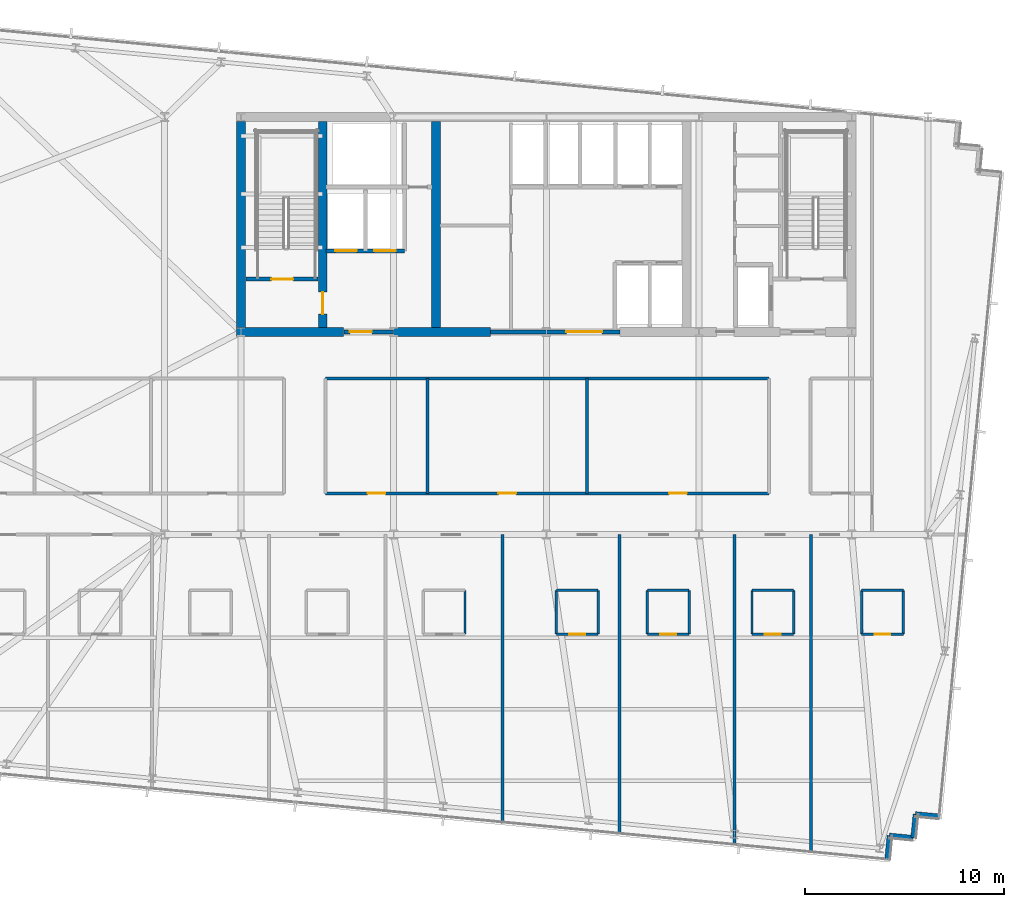
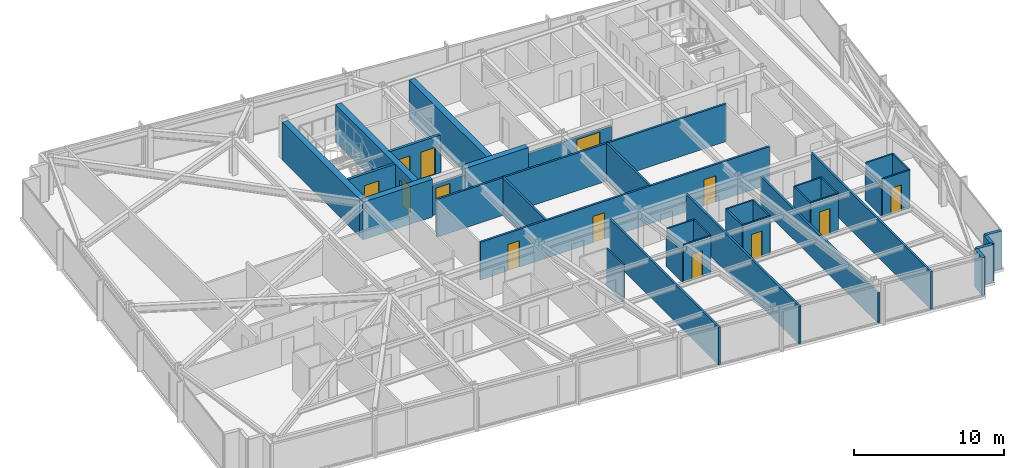
# One storey, part 30 of 37: 38 walls, 13 doors, 13 openings.
"""IFC4 building model written with IfcOpenShell, lengths in metres."""

from ifc_helpers import new_model, si_unit, direction, frame, frame_2d, origin, place, context, subcontext, project, spatial, rectangle, extrude, material, layer, layer_set, type_object, element, fill, save


model = new_model("IFC4")

# Units and contexts
model_context = context("Model", 3, precision=1e-05, world=origin(), true_north=direction((0.0, 1.0)))
body_context = subcontext(model_context, "Body", "Model", "MODEL_VIEW")
ifc_project = project(units=[si_unit("LENGTHUNIT", "METRE"), si_unit("AREAUNIT", "SQUARE_METRE"), si_unit("VOLUMEUNIT", "CUBIC_METRE"), si_unit("PLANEANGLEUNIT", "RADIAN"), si_unit("MASSUNIT", "GRAM", prefix="KILO")], contexts=[model_context])

# Site, building, storey
site_placement = place(None, origin())
site = spatial("IfcSite", under=ifc_project, at=site_placement, CompositionType="ELEMENT")
building_placement = place(site_placement, origin())
building = spatial("IfcBuilding", under=site, at=building_placement, Name="Yelkora Congress Tower", CompositionType="ELEMENT")
storey_placement = place(building_placement, frame((0.0, 0.0, 158.89990234375)))
storey = spatial("IfcBuildingStorey", under=building, at=storey_placement, Name="L43", CompositionType="ELEMENT", Elevation=158.89990234375)

# Walls
ifc_material_1 = material(Name="Concrete C60/75", Category="concrete")
ifc_layer_1 = layer(ifc_material_1, 0.449951171875)
ifc_layer_set_1 = layer_set([ifc_layer_1], Name="Concrete C60/75")
wall_type_1 = type_object("IfcWallType", Name="WALL-CORE-INT-450", PredefinedType="SHEAR", material=ifc_layer_set_1)
wall_1_placement = place(storey_placement, frame((22.81494140625, 35.39990234375, 0.0), z_axis=(0.0, 0.0, 1.0), x_axis=(1.0, 0.0, 0.0)))
element("IfcWall", 1, at=wall_1_placement, inside=storey, type_object=wall_type_1, Name="L43 Rear Core South-West Shear Wall", PredefinedType="SHEAR", context=body_context, shape_type="SweptSolid", body=[
    extrude(rectangle(XDim=5.385009765625, YDim=0.449951171875, at=frame_2d((2.6923828125, 0.0))), origin(), (0.0, 0.0, 1.0), 3.080078125),
])
wall_2_placement = place(storey_placement, frame((30.719970703125, 35.39990234375, 0.0), z_axis=(0.0, 0.0, 1.0), x_axis=(1.0, 0.0, 0.0)))
element("IfcWall", 2, at=wall_2_placement, inside=storey, type_object=wall_type_1, Name="L43 Rear Core South-Center Shear Pier", PredefinedType="SHEAR", context=body_context, shape_type="SweptSolid", body=[
    extrude(rectangle(XDim=4.880126953125, YDim=0.449951171875, at=frame_2d((2.43994140625, 0.0))), origin(), (0.0, 0.0, 1.0), 3.080078125),
])
wall_3_placement = place(storey_placement, frame((23.0400390625, 35.625, 0.0), z_axis=(0.0, 0.0, 1.0), x_axis=(0.0, 1.0, 0.0)))
element("IfcWall", 3, at=wall_3_placement, inside=storey, type_object=wall_type_1, Name="L43 Rear Core Cross Shear Wall W", PredefinedType="SHEAR", context=body_context, shape_type="SweptSolid", body=[
    extrude(rectangle(XDim=10.35009765625, YDim=0.449951171875, at=frame_2d((5.175048828125, 0.0))), origin(), (0.0, 0.0, 1.0), 3.080078125),
])

# Wall, opening, door
wall_4_placement = place(storey_placement, frame((27.14990234375, 35.625, 0.0), z_axis=(0.0, 0.0, 1.0), x_axis=(0.0, 1.0, 0.0)))
wall_4 = element("IfcWall", 4, at=wall_4_placement, inside=storey, type_object=wall_type_1, Name="L43 Rear Core Cross Shear Wall C1", PredefinedType="SHEAR", context=body_context, shape_type="SweptSolid", body=[
    extrude(rectangle(XDim=10.35009765625, YDim=0.449951171875, at=frame_2d((5.175048828125, 0.0))), origin(), (0.0, 0.0, 1.0), 3.080078125),
])
opening_1_placement = place(wall_4_placement, frame((0.675048828125, 0.0, 0.0)))
opening_1 = element("IfcOpeningElement", 5, at=opening_1_placement, cuts=wall_4, Name="Opening DR-110F9", PredefinedType="OPENING", context=body_context, shape_type="SweptSolid", body=[
    extrude(rectangle(XDim=1.10009765625, YDim=2.14990234375, at=frame_2d((0.550048828125, 1.074951171875))), frame((0.0, 0.23486328125, 0.0), z_axis=(0.0, -1.0, 0.0), x_axis=(1.0, 0.0, 0.0)), (0.0, 0.0, 1.0), 0.469970703125),
])
ifc_material_2 = material(Name="Galvanised steel fire door leaf", Category="steel")
door_type_1 = type_object("IfcDoorType", Name="DOOR-FD90-1100", OperationType="NOTDEFINED", PredefinedType="DOOR", material=ifc_material_2)
door_1_placement = place(opening_1_placement, origin())
door_1 = element("IfcDoor", 6, at=door_1_placement, inside=storey, type_object=door_type_1, Name="L43 Firefighting Stair Transfer Door", OperationType="SINGLE_SWING_LEFT", OverallHeight=2.14990234375, OverallWidth=1.10009765625, PredefinedType="DOOR", context=body_context, shape_type="SweptSolid", body=[
    extrude(rectangle(XDim=1.10009765625, YDim=2.14990234375, at=frame_2d((0.550048828125, 1.074951171875))), frame((0.0, 0.02490234375, 0.0), z_axis=(0.0, -1.0, 0.0), x_axis=(1.0, 0.0, 0.0)), (0.0, 0.0, 1.0), 0.050048828125),
])
fill(opening_1, door_1)

# Walls
wall_5_placement = place(storey_placement, frame((32.85009765625, 35.625, 0.0), z_axis=(0.0, 0.0, 1.0), x_axis=(0.0, 1.0, 0.0)))
element("IfcWall", 7, at=wall_5_placement, inside=storey, type_object=wall_type_1, Name="L43 Rear Core Cross Shear Wall C2", PredefinedType="SHEAR", context=body_context, shape_type="SweptSolid", body=[
    extrude(rectangle(XDim=10.35009765625, YDim=0.449951171875, at=frame_2d((5.175048828125, 0.0))), origin(), (0.0, 0.0, 1.0), 3.080078125),
])
ifc_material_3 = material(Name="Concrete C40/50", Category="concrete")
ifc_layer_2 = layer(ifc_material_3, 0.239990234375)
ifc_layer_set_2 = layer_set([ifc_layer_2], Name="Concrete C40/50")
wall_type_2 = type_object("IfcWallType", Name="WALL-EXT-LIMESTONE-240", PredefinedType="SOLIDWALL", material=ifc_layer_set_2)
wall_6_placement = place(storey_placement, frame((58.160400390625, 11.033203125, 0.0), z_axis=(0.0, 0.0, 1.0), x_axis=(-0.995398960025, 0.095817067274, 0.0)))
element("IfcWall", 8, at=wall_6_placement, inside=storey, type_object=wall_type_2, Name="L43 Serrated Corner Limestone Pier 16", PredefinedType="SOLIDWALL", context=body_context, shape_type="SweptSolid", body=[
    extrude(rectangle(XDim=1.2001953125, YDim=0.239990234375, at=frame_2d((0.60009765625, 0.0))), origin(), (0.0, 0.0, 1.0), 3.080078125),
])
for number, where, z_axis, x_axis, name in (
    (9, (56.9658203125, 11.148193359375, 0.0), (0.0, 0.0, 1.0), (-0.095836473879, -0.995397091755, 0.0), "L43 Serrated Corner Limestone Pier 17"),
    (10, (56.850830078125, 9.953857421875, 0.0), (0.0, 0.0, 1.0), (-0.995397091755, 0.095836473879, 0.0), "L43 Serrated Corner Limestone Pier 18"),
):
    element("IfcWall", number, at=place(storey_placement, frame(where, z_axis=z_axis, x_axis=x_axis)), inside=storey, type_object=wall_type_2, Name=name, PredefinedType="SOLIDWALL", context=body_context, shape_type="SweptSolid", body=[
        extrude(rectangle(XDim=1.199951171875, YDim=0.239990234375, at=frame_2d((0.60009765625, 0.0))), origin(), (0.0, 0.0, 1.0), 3.080078125),
    ])
wall_7_placement = place(storey_placement, frame((55.656494140625, 10.06884765625, 0.0), z_axis=(0.0, 0.0, 1.0), x_axis=(-0.095817067274, -0.995398960025, 0.0)))
element("IfcWall", 11, at=wall_7_placement, inside=storey, type_object=wall_type_2, Name="L43 Serrated Corner Limestone Pier 19", PredefinedType="SOLIDWALL", context=body_context, shape_type="SweptSolid", body=[
    extrude(rectangle(XDim=1.2001953125, YDim=0.239990234375, at=frame_2d((0.60009765625, 0.0))), origin(), (0.0, 0.0, 1.0), 3.080078125),
])
ifc_material_4 = material(Name="Moisture-resistant gypsum partition", Category="gypsum")
ifc_layer_3 = layer(ifc_material_4, 0.1201171875)
ifc_layer_set_3 = layer_set([ifc_layer_3], Name="Moisture-resistant gypsum partition")
wall_type_3 = type_object("IfcWallType", Name="WALL-INT-120-NR", PredefinedType="PARTITIONING", material=ifc_layer_set_3)
wall_8_placement = place(storey_placement, frame((34.30810546875, 20.199951171875, 0.0), z_axis=(0.0, 0.0, 1.0), x_axis=(0.0, 1.0, 0.0)))
element("IfcWall", 12, at=wall_8_placement, inside=storey, type_object=wall_type_3, Name="L43 Partition Wall 49", PredefinedType="PARTITIONING", context=body_context, shape_type="SweptSolid", body=[
    extrude(rectangle(XDim=2.199951171875, YDim=0.1201171875, at=frame_2d((1.10009765625, 0.0))), origin(), (0.0, 0.0, 1.0), 3.080078125),
])
wall_9_placement = place(storey_placement, frame((38.89990234375, 22.39990234375, 0.0), z_axis=(0.0, 0.0, 1.0), x_axis=(1.0, 0.0, 0.0)))
element("IfcWall", 13, at=wall_9_placement, inside=storey, type_object=wall_type_3, Name="L43 Partition Wall 52", PredefinedType="PARTITIONING", context=body_context, shape_type="SweptSolid", body=[
    extrude(rectangle(XDim=2.10009765625, YDim=0.1201171875, at=frame_2d((1.050048828125, 0.0))), origin(), (0.0, 0.0, 1.0), 3.080078125),
])
wall_10_placement = place(storey_placement, frame((38.89990234375, 20.199951171875, 0.0), z_axis=(0.0, 0.0, 1.0), x_axis=(0.0, 1.0, 0.0)))
element("IfcWall", 14, at=wall_10_placement, inside=storey, type_object=wall_type_3, Name="L43 Partition Wall 53", PredefinedType="PARTITIONING", context=body_context, shape_type="SweptSolid", body=[
    extrude(rectangle(XDim=2.199951171875, YDim=0.1201171875, at=frame_2d((1.10009765625, 0.0))), origin(), (0.0, 0.0, 1.0), 2.47509765625),
])
wall_11_placement = place(storey_placement, frame((41.0, 20.199951171875, 0.0), z_axis=(0.0, 0.0, 1.0), x_axis=(0.0, 1.0, 0.0)))
element("IfcWall", 15, at=wall_11_placement, inside=storey, type_object=wall_type_3, Name="L43 Partition Wall 54", PredefinedType="PARTITIONING", context=body_context, shape_type="SweptSolid", body=[
    extrude(rectangle(XDim=2.199951171875, YDim=0.1201171875, at=frame_2d((1.10009765625, 0.0))), origin(), (0.0, 0.0, 1.0), 3.080078125),
])

# Wall, opening, door
wall_12_placement = place(storey_placement, frame((38.89990234375, 20.199951171875, 0.0), z_axis=(0.0, 0.0, 1.0), x_axis=(1.0, 0.0, 0.0)))
wall_12 = element("IfcWall", 16, at=wall_12_placement, inside=storey, type_object=wall_type_3, Name="L43 Partition Wall 55", PredefinedType="PARTITIONING", context=body_context, shape_type="SweptSolid", body=[
    extrude(rectangle(XDim=2.10009765625, YDim=0.1201171875, at=frame_2d((1.050048828125, 0.0))), origin(), (0.0, 0.0, 1.0), 3.080078125),
])
opening_2_placement = place(wall_12_placement, frame((0.64990234375, 0.0, 0.0)))
opening_2 = element("IfcOpeningElement", 17, at=opening_2_placement, cuts=wall_12, Name="Opening DR-080B", PredefinedType="OPENING", context=body_context, shape_type="SweptSolid", body=[
    extrude(rectangle(XDim=0.800048828125, YDim=2.10009765625, at=frame_2d((0.39990234375, 1.050048828125))), frame((0.0, 0.070068359375, 0.0), z_axis=(0.0, -1.0, 0.0), x_axis=(1.0, 0.0, 0.0)), (0.0, 0.0, 1.0), 0.14013671875),
])
ifc_material_5 = material(Name="Moisture-sealed en-suite timber door", Category="wood")
door_type_2 = type_object("IfcDoorType", Name="DOOR-BATH-800", OperationType="NOTDEFINED", PredefinedType="DOOR", material=ifc_material_5)
door_2_placement = place(opening_2_placement, origin())
door_2 = element("IfcDoor", 18, at=door_2_placement, inside=storey, type_object=door_type_2, Name="L43 En-suite Door 6", OperationType="SINGLE_SWING_LEFT", OverallHeight=2.10009765625, OverallWidth=0.800048828125, PredefinedType="DOOR", context=body_context, shape_type="SweptSolid", body=[
    extrude(rectangle(XDim=0.800048828125, YDim=2.10009765625, at=frame_2d((0.39990234375, 1.050048828125))), frame((0.0, 0.02490234375, 0.0), z_axis=(0.0, -1.0, 0.0), x_axis=(1.0, 0.0, 0.0)), (0.0, 0.0, 1.0), 0.050048828125),
])
fill(opening_2, door_2)

# Walls
wall_13_placement = place(storey_placement, frame((43.47998046875, 22.39990234375, 0.0), z_axis=(0.0, 0.0, 1.0), x_axis=(1.0, 0.0, 0.0)))
element("IfcWall", 19, at=wall_13_placement, inside=storey, type_object=wall_type_3, Name="L43 Partition Wall 57", PredefinedType="PARTITIONING", context=body_context, shape_type="SweptSolid", body=[
    extrude(rectangle(XDim=2.10009765625, YDim=0.1201171875, at=frame_2d((1.050048828125, 0.0))), origin(), (0.0, 0.0, 1.0), 3.080078125),
])
for number, where, z_axis, x_axis, name in (
    (20, (43.47998046875, 20.199951171875, 0.0), (0.0, 0.0, 1.0), (0.0, 1.0, 0.0), "L43 Partition Wall 58"),
    (21, (45.580078125, 20.199951171875, 0.0), (0.0, 0.0, 1.0), (0.0, 1.0, 0.0), "L43 Partition Wall 59"),
):
    element("IfcWall", number, at=place(storey_placement, frame(where, z_axis=z_axis, x_axis=x_axis)), inside=storey, type_object=wall_type_3, Name=name, PredefinedType="PARTITIONING", context=body_context, shape_type="SweptSolid", body=[
        extrude(rectangle(XDim=2.199951171875, YDim=0.1201171875, at=frame_2d((1.10009765625, 0.0))), origin(), (0.0, 0.0, 1.0), 3.080078125),
    ])

# Wall, opening, door
wall_14_placement = place(storey_placement, frame((43.47998046875, 20.199951171875, 0.0), z_axis=(0.0, 0.0, 1.0), x_axis=(1.0, 0.0, 0.0)))
wall_14 = element("IfcWall", 22, at=wall_14_placement, inside=storey, type_object=wall_type_3, Name="L43 Partition Wall 60", PredefinedType="PARTITIONING", context=body_context, shape_type="SweptSolid", body=[
    extrude(rectangle(XDim=2.10009765625, YDim=0.1201171875, at=frame_2d((1.050048828125, 0.0))), origin(), (0.0, 0.0, 1.0), 3.080078125),
])
opening_3_placement = place(wall_14_placement, frame((0.64990234375, 0.0, 0.0)))
opening_3 = element("IfcOpeningElement", 23, at=opening_3_placement, cuts=wall_14, Name="Opening DR-080B", PredefinedType="OPENING", context=body_context, shape_type="SweptSolid", body=[
    extrude(rectangle(XDim=0.800048828125, YDim=2.10009765625, at=frame_2d((0.39990234375, 1.050048828125))), frame((0.0, 0.070068359375, 0.0), z_axis=(0.0, -1.0, 0.0), x_axis=(1.0, 0.0, 0.0)), (0.0, 0.0, 1.0), 0.14013671875),
])
door_3_placement = place(opening_3_placement, origin())
door_3 = element("IfcDoor", 24, at=door_3_placement, inside=storey, type_object=door_type_2, Name="L43 En-suite Door 7", OperationType="SINGLE_SWING_RIGHT", OverallHeight=2.10009765625, OverallWidth=0.800048828125, PredefinedType="DOOR", context=body_context, shape_type="SweptSolid", body=[
    extrude(rectangle(XDim=0.800048828125, YDim=2.10009765625, at=frame_2d((0.39990234375, 1.050048828125))), frame((0.0, 0.02490234375, 0.0), z_axis=(0.0, -1.0, 0.0), x_axis=(1.0, 0.0, 0.0)), (0.0, 0.0, 1.0), 0.050048828125),
])
fill(opening_3, door_3)

# Walls
wall_15_placement = place(storey_placement, frame((48.740966796875, 22.39990234375, 0.0), z_axis=(0.0, 0.0, 1.0), x_axis=(1.0, 0.0, 0.0)))
element("IfcWall", 25, at=wall_15_placement, inside=storey, type_object=wall_type_3, Name="L43 Partition Wall 62", PredefinedType="PARTITIONING", context=body_context, shape_type="SweptSolid", body=[
    extrude(rectangle(XDim=2.10009765625, YDim=0.1201171875, at=frame_2d((1.050048828125, 0.0))), origin(), (0.0, 0.0, 1.0), 3.080078125),
])
for number, where, z_axis, x_axis, name in (
    (26, (48.740966796875, 20.199951171875, 0.0), (0.0, 0.0, 1.0), (0.0, 1.0, 0.0), "L43 Partition Wall 63"),
    (27, (50.841064453125, 20.199951171875, 0.0), (0.0, 0.0, 1.0), (0.0, 1.0, 0.0), "L43 Partition Wall 64"),
):
    element("IfcWall", number, at=place(storey_placement, frame(where, z_axis=z_axis, x_axis=x_axis)), inside=storey, type_object=wall_type_3, Name=name, PredefinedType="PARTITIONING", context=body_context, shape_type="SweptSolid", body=[
        extrude(rectangle(XDim=2.199951171875, YDim=0.1201171875, at=frame_2d((1.10009765625, 0.0))), origin(), (0.0, 0.0, 1.0), 3.080078125),
    ])

# Wall, opening, door
wall_16_placement = place(storey_placement, frame((48.740966796875, 20.199951171875, 0.0), z_axis=(0.0, 0.0, 1.0), x_axis=(1.0, 0.0, 0.0)))
wall_16 = element("IfcWall", 28, at=wall_16_placement, inside=storey, type_object=wall_type_3, Name="L43 Partition Wall 65", PredefinedType="PARTITIONING", context=body_context, shape_type="SweptSolid", body=[
    extrude(rectangle(XDim=2.10009765625, YDim=0.1201171875, at=frame_2d((1.050048828125, 0.0))), origin(), (0.0, 0.0, 1.0), 3.080078125),
])
opening_4_placement = place(wall_16_placement, frame((0.64990234375, 0.0, 0.0)))
opening_4 = element("IfcOpeningElement", 29, at=opening_4_placement, cuts=wall_16, Name="Opening DR-080B", PredefinedType="OPENING", context=body_context, shape_type="SweptSolid", body=[
    extrude(rectangle(XDim=0.800048828125, YDim=2.10009765625, at=frame_2d((0.39990234375, 1.050048828125))), frame((0.0, 0.070068359375, 0.0), z_axis=(0.0, -1.0, 0.0), x_axis=(1.0, 0.0, 0.0)), (0.0, 0.0, 1.0), 0.14013671875),
])
door_4_placement = place(opening_4_placement, origin())
door_4 = element("IfcDoor", 30, at=door_4_placement, inside=storey, type_object=door_type_2, Name="L43 En-suite Door 8", OperationType="SINGLE_SWING_LEFT", OverallHeight=2.10009765625, OverallWidth=0.800048828125, PredefinedType="DOOR", context=body_context, shape_type="SweptSolid", body=[
    extrude(rectangle(XDim=0.800048828125, YDim=2.10009765625, at=frame_2d((0.39990234375, 1.050048828125))), frame((0.0, 0.02490234375, 0.0), z_axis=(0.0, -1.0, 0.0), x_axis=(1.0, 0.0, 0.0)), (0.0, 0.0, 1.0), 0.050048828125),
])
fill(opening_4, door_4)

# Walls
wall_17_placement = place(storey_placement, frame((54.260009765625, 22.39990234375, 0.0), z_axis=(0.0, 0.0, 1.0), x_axis=(1.0, 0.0, 0.0)))
element("IfcWall", 31, at=wall_17_placement, inside=storey, type_object=wall_type_3, Name="L43 Partition Wall 67", PredefinedType="PARTITIONING", context=body_context, shape_type="SweptSolid", body=[
    extrude(rectangle(XDim=2.10009765625, YDim=0.1201171875, at=frame_2d((1.050048828125, 0.0))), origin(), (0.0, 0.0, 1.0), 3.080078125),
])
wall_18_placement = place(storey_placement, frame((54.260009765625, 20.199951171875, 0.0), z_axis=(0.0, 0.0, 1.0), x_axis=(0.0, 1.0, 0.0)))
element("IfcWall", 32, at=wall_18_placement, inside=storey, type_object=wall_type_3, Name="L43 Partition Wall 68", PredefinedType="PARTITIONING", context=body_context, shape_type="SweptSolid", body=[
    extrude(rectangle(XDim=2.199951171875, YDim=0.1201171875, at=frame_2d((1.10009765625, 0.0))), origin(), (0.0, 0.0, 1.0), 2.47509765625),
])
wall_19_placement = place(storey_placement, frame((56.360107421875, 20.199951171875, 0.0), z_axis=(0.0, 0.0, 1.0), x_axis=(0.0, 1.0, 0.0)))
element("IfcWall", 33, at=wall_19_placement, inside=storey, type_object=wall_type_3, Name="L43 Partition Wall 69", PredefinedType="PARTITIONING", context=body_context, shape_type="SweptSolid", body=[
    extrude(rectangle(XDim=2.199951171875, YDim=0.1201171875, at=frame_2d((1.10009765625, 0.0))), origin(), (0.0, 0.0, 1.0), 3.080078125),
])

# Wall, opening, door
wall_20_placement = place(storey_placement, frame((54.260009765625, 20.199951171875, 0.0), z_axis=(0.0, 0.0, 1.0), x_axis=(1.0, 0.0, 0.0)))
wall_20 = element("IfcWall", 34, at=wall_20_placement, inside=storey, type_object=wall_type_3, Name="L43 Partition Wall 70", PredefinedType="PARTITIONING", context=body_context, shape_type="SweptSolid", body=[
    extrude(rectangle(XDim=2.10009765625, YDim=0.1201171875, at=frame_2d((1.050048828125, 0.0))), origin(), (0.0, 0.0, 1.0), 3.080078125),
])
opening_5_placement = place(wall_20_placement, frame((0.64990234375, 0.0, 0.0)))
opening_5 = element("IfcOpeningElement", 35, at=opening_5_placement, cuts=wall_20, Name="Opening DR-080B", PredefinedType="OPENING", context=body_context, shape_type="SweptSolid", body=[
    extrude(rectangle(XDim=0.800048828125, YDim=2.10009765625, at=frame_2d((0.39990234375, 1.050048828125))), frame((0.0, 0.070068359375, 0.0), z_axis=(0.0, -1.0, 0.0), x_axis=(1.0, 0.0, 0.0)), (0.0, 0.0, 1.0), 0.14013671875),
])
door_5_placement = place(opening_5_placement, origin())
door_5 = element("IfcDoor", 36, at=door_5_placement, inside=storey, type_object=door_type_2, Name="L43 En-suite Door 9", OperationType="SINGLE_SWING_RIGHT", OverallHeight=2.10009765625, OverallWidth=0.800048828125, PredefinedType="DOOR", context=body_context, shape_type="SweptSolid", body=[
    extrude(rectangle(XDim=0.800048828125, YDim=2.10009765625, at=frame_2d((0.39990234375, 1.050048828125))), frame((0.0, 0.02490234375, 0.0), z_axis=(0.0, -1.0, 0.0), x_axis=(1.0, 0.0, 0.0)), (0.0, 0.0, 1.0), 0.050048828125),
])
fill(opening_5, door_5)

# Walls
ifc_material_6 = material(Name="Acoustic metal-stud gypsum partition", Category="gypsum")
ifc_layer_4 = layer(ifc_material_6, 0.14990234375)
ifc_layer_set_4 = layer_set([ifc_layer_4], Name="Acoustic metal-stud gypsum partition")
wall_type_4 = type_object("IfcWallType", Name="WALL-INT-150-NR", PredefinedType="PARTITIONING", material=ifc_layer_set_4)
wall_21_placement = place(storey_placement, frame((27.280029296875, 33.050048828125, 0.0), z_axis=(0.0, 0.0, 1.0), x_axis=(1.0, 0.0, 0.0)))
element("IfcWall", 37, at=wall_21_placement, inside=storey, type_object=wall_type_4, Name="L43 Partition Wall 80", PredefinedType="PARTITIONING", context=body_context, shape_type="SweptSolid", body=[
    extrude(rectangle(XDim=22.320068359375, YDim=0.14990234375, at=frame_2d((11.16015625, 0.0))), origin(), (0.0, 0.0, 1.0), 3.080078125),
])
for number, where, z_axis, x_axis, name in (
    (38, (32.4189453125, 27.280029296875, 0.0), (0.0, 0.0, 1.0), (0.0, 1.0, 0.0), "L43 Partition Wall 85"),
    (39, (40.447021484375, 27.280029296875, 0.0), (0.0, 0.0, 1.0), (0.0, 1.0, 0.0), "L43 Partition Wall 86"),
):
    element("IfcWall", number, at=place(storey_placement, frame(where, z_axis=z_axis, x_axis=x_axis)), inside=storey, type_object=wall_type_4, Name=name, PredefinedType="PARTITIONING", context=body_context, shape_type="SweptSolid", body=[
        extrude(rectangle(XDim=5.77001953125, YDim=0.14990234375, at=frame_2d((2.885009765625, 0.0))), origin(), (0.0, 0.0, 1.0), 3.080078125),
    ])

# Wall, openings, doors
wall_22_placement = place(storey_placement, frame((27.2900390625, 27.280029296875, 0.0), z_axis=(0.0, 0.0, 1.0), x_axis=(1.0, 0.0, 0.0)))
wall_22 = element("IfcWall", 40, at=wall_22_placement, inside=storey, type_object=wall_type_4, Name="L43 Partition Wall 87", PredefinedType="PARTITIONING", context=body_context, shape_type="SweptSolid", body=[
    extrude(rectangle(XDim=22.300048828125, YDim=0.14990234375, at=frame_2d((11.14990234375, 0.0))), origin(), (0.0, 0.0, 1.0), 3.080078125),
])
opening_6_placement = place(wall_22_placement, frame((2.114501953125, 0.0, 0.0)))
opening_6 = element("IfcOpeningElement", 41, at=opening_6_placement, cuts=wall_22, Name="Opening DR-090N", PredefinedType="OPENING", context=body_context, shape_type="SweptSolid", body=[
    extrude(rectangle(XDim=0.89990234375, YDim=2.14990234375, at=frame_2d((0.449951171875, 1.074951171875))), frame((0.0, 0.0849609375, 0.0), z_axis=(0.0, -1.0, 0.0), x_axis=(1.0, 0.0, 0.0)), (0.0, 0.0, 1.0), 0.169921875),
])
opening_7_placement = place(wall_22_placement, frame((8.693115234375, 0.0, 0.0)))
opening_7 = element("IfcOpeningElement", 42, at=opening_7_placement, cuts=wall_22, Name="Opening DR-090N", PredefinedType="OPENING", context=body_context, shape_type="SweptSolid", body=[
    extrude(rectangle(XDim=0.89990234375, YDim=2.14990234375, at=frame_2d((0.449951171875, 1.074951171875))), frame((0.0, 0.0849609375, 0.0), z_axis=(0.0, -1.0, 0.0), x_axis=(1.0, 0.0, 0.0)), (0.0, 0.0, 1.0), 0.169921875),
])
opening_8_placement = place(wall_22_placement, frame((17.278564453125, 0.0, 0.0)))
opening_8 = element("IfcOpeningElement", 43, at=opening_8_placement, cuts=wall_22, Name="Opening DR-090N", PredefinedType="OPENING", context=body_context, shape_type="SweptSolid", body=[
    extrude(rectangle(XDim=0.89990234375, YDim=2.14990234375, at=frame_2d((0.449951171875, 1.074951171875))), frame((0.0, 0.0849609375, 0.0), z_axis=(0.0, -1.0, 0.0), x_axis=(1.0, 0.0, 0.0)), (0.0, 0.0, 1.0), 0.169921875),
])
ifc_material_7 = material(Name="Moisture-resistant laminate door leaf", Category="wood")
door_type_3 = type_object("IfcDoorType", Name="DOOR-INT-900", OperationType="NOTDEFINED", PredefinedType="DOOR", material=ifc_material_7)
door_6_placement = place(opening_6_placement, origin())
door_6 = element("IfcDoor", 44, at=door_6_placement, inside=storey, type_object=door_type_3, Name="L43 Huddle Seminar Room Door", OperationType="SINGLE_SWING_LEFT", OverallHeight=2.14990234375, OverallWidth=0.89990234375, PredefinedType="DOOR", context=body_context, shape_type="SweptSolid", body=[
    extrude(rectangle(XDim=0.89990234375, YDim=2.14990234375, at=frame_2d((0.449951171875, 1.074951171875))), frame((0.0, 0.02490234375, 0.0), z_axis=(0.0, -1.0, 0.0), x_axis=(1.0, 0.0, 0.0)), (0.0, 0.0, 1.0), 0.050048828125),
])
fill(opening_6, door_6)
door_7_placement = place(opening_7_placement, origin())
door_7 = element("IfcDoor", 45, at=door_7_placement, inside=storey, type_object=door_type_3, Name="L43 Breakout Training Room Door", OperationType="SINGLE_SWING_RIGHT", OverallHeight=2.14990234375, OverallWidth=0.89990234375, PredefinedType="DOOR", context=body_context, shape_type="SweptSolid", body=[
    extrude(rectangle(XDim=0.89990234375, YDim=2.14990234375, at=frame_2d((0.449951171875, 1.074951171875))), frame((0.0, 0.02490234375, 0.0), z_axis=(0.0, -1.0, 0.0), x_axis=(1.0, 0.0, 0.0)), (0.0, 0.0, 1.0), 0.050048828125),
])
fill(opening_7, door_7)
door_8_placement = place(opening_8_placement, origin())
door_8 = element("IfcDoor", 46, at=door_8_placement, inside=storey, type_object=door_type_3, Name="L43 Executive Boardroom Door", OperationType="SINGLE_SWING_LEFT", OverallHeight=2.14990234375, OverallWidth=0.89990234375, PredefinedType="DOOR", context=body_context, shape_type="SweptSolid", body=[
    extrude(rectangle(XDim=0.89990234375, YDim=2.14990234375, at=frame_2d((0.449951171875, 1.074951171875))), frame((0.0, 0.02490234375, 0.0), z_axis=(0.0, -1.0, 0.0), x_axis=(1.0, 0.0, 0.0)), (0.0, 0.0, 1.0), 0.050048828125),
])
fill(opening_8, door_8)

# Walls
ifc_material_8 = material(Name="Twin-stud fire-rated gypsum partition", Category="gypsum")
ifc_layer_5 = layer(ifc_material_8, 0.14990234375)
ifc_layer_set_5 = layer_set([ifc_layer_5], Name="Twin-stud fire-rated gypsum partition")
wall_type_5 = type_object("IfcWallType", Name="WALL-INT-150-R60", PredefinedType="PARTITIONING", material=ifc_layer_set_5)
wall_23_placement = place(storey_placement, frame((36.197998046875, 10.676513671875, 0.0), z_axis=(0.0, 0.0, 1.0), x_axis=(0.0, 1.0, 0.0)))
element("IfcWall", 47, at=wall_23_placement, inside=storey, type_object=wall_type_5, Name="L43 Partition Wall 56", PredefinedType="PARTITIONING", context=body_context, shape_type="SweptSolid", body=[
    extrude(rectangle(XDim=14.54345703125, YDim=0.14990234375, at=frame_2d((7.271728515625, 0.0))), origin(), (0.0, 0.0, 1.0), 3.080078125),
])
wall_24_placement = place(storey_placement, frame((42.0791015625, 10.1103515625, 0.0), z_axis=(0.0, 0.0, 1.0), x_axis=(0.0, 1.0, 0.0)))
element("IfcWall", 48, at=wall_24_placement, inside=storey, type_object=wall_type_5, Name="L43 Partition Wall 61", PredefinedType="PARTITIONING", context=body_context, shape_type="SweptSolid", body=[
    extrude(rectangle(XDim=15.109619140625, YDim=0.14990234375, at=frame_2d((7.5546875, 0.0))), origin(), (0.0, 0.0, 1.0), 3.080078125),
])
wall_25_placement = place(storey_placement, frame((47.85888671875, 9.5537109375, 0.0), z_axis=(0.0, 0.0, 1.0), x_axis=(0.0, 1.0, 0.0)))
element("IfcWall", 49, at=wall_25_placement, inside=storey, type_object=wall_type_5, Name="L43 Partition Wall 66", PredefinedType="PARTITIONING", context=body_context, shape_type="SweptSolid", body=[
    extrude(rectangle(XDim=15.666259765625, YDim=0.14990234375, at=frame_2d((7.8330078125, 0.0))), origin(), (0.0, 0.0, 1.0), 2.47509765625),
])
wall_26_placement = place(storey_placement, frame((51.721923828125, 9.181884765625, 0.0), z_axis=(0.0, 0.0, 1.0), x_axis=(0.0, 1.0, 0.0)))
element("IfcWall", 50, at=wall_26_placement, inside=storey, type_object=wall_type_5, Name="L43 Partition Wall 71", PredefinedType="PARTITIONING", context=body_context, shape_type="SweptSolid", body=[
    extrude(rectangle(XDim=16.0380859375, YDim=0.14990234375, at=frame_2d((8.01904296875, 0.0))), origin(), (0.0, 0.0, 1.0), 3.080078125),
])

# Wall, opening, door
ifc_material_9 = material(Name="Autoclaved aerated concrete blockwork", Category="masonry")
ifc_layer_6 = layer(ifc_material_9, 0.199951171875)
ifc_layer_set_6 = layer_set([ifc_layer_6], Name="Autoclaved aerated concrete blockwork")
wall_type_6 = type_object("IfcWallType", Name="WALL-INT-200-R120", PredefinedType="PARTITIONING", material=ifc_layer_set_6)
wall_27_placement = place(storey_placement, frame((23.300048828125, 38.050048828125, 0.0), z_axis=(0.0, 0.0, 1.0), x_axis=(1.0, 0.0, 0.0)))
wall_27 = element("IfcWall", 51, at=wall_27_placement, inside=storey, type_object=wall_type_6, Name="L43 Stair ST-01 Enclosure Wall", PredefinedType="PARTITIONING", context=body_context, shape_type="SweptSolid", body=[
    extrude(rectangle(XDim=3.619873046875, YDim=0.199951171875, at=frame_2d((1.81005859375, 0.0))), origin(), (0.0, 0.0, 1.0), 3.080078125),
])
opening_9_placement = place(wall_27_placement, frame((1.260009765625, 0.0, 0.0)))
opening_9 = element("IfcOpeningElement", 52, at=opening_9_placement, cuts=wall_27, Name="Opening DR-110F9", PredefinedType="OPENING", context=body_context, shape_type="SweptSolid", body=[
    extrude(rectangle(XDim=1.10009765625, YDim=2.14990234375, at=frame_2d((0.550048828125, 1.074951171875))), frame((0.0, 0.10986328125, 0.0), z_axis=(0.0, -1.0, 0.0), x_axis=(1.0, 0.0, 0.0)), (0.0, 0.0, 1.0), 0.219970703125),
])
door_9_placement = place(opening_9_placement, origin())
door_9 = element("IfcDoor", 53, at=door_9_placement, inside=storey, type_object=door_type_1, Name="L43 Stair ST-01 Entry Door", OperationType="SINGLE_SWING_LEFT", OverallHeight=2.14990234375, OverallWidth=1.10009765625, PredefinedType="DOOR", context=body_context, shape_type="SweptSolid", body=[
    extrude(rectangle(XDim=1.10009765625, YDim=2.14990234375, at=frame_2d((0.550048828125, 1.074951171875))), frame((0.0, 0.02490234375, 0.0), z_axis=(0.0, -1.0, 0.0), x_axis=(1.0, 0.0, 0.0)), (0.0, 0.0, 1.0), 0.050048828125),
])
fill(opening_9, door_9)

wall_28_placement = place(storey_placement, frame((28.219970703125, 35.39990234375, 0.0), z_axis=(0.0, 0.0, 1.0), x_axis=(1.0, 0.0, 0.0)))
wall_28 = element("IfcWall", 54, at=wall_28_placement, inside=storey, type_object=wall_type_6, Name="L43 Firefighting Lobby South Wall", PredefinedType="PARTITIONING", context=body_context, shape_type="SweptSolid", body=[
    extrude(rectangle(XDim=2.5, YDim=0.199951171875, at=frame_2d((1.25, 0.0))), origin(), (0.0, 0.0, 1.0), 2.47509765625),
])
opening_10_placement = place(wall_28_placement, frame((0.300048828125, 0.0, 0.0)))
opening_10 = element("IfcOpeningElement", 55, at=opening_10_placement, cuts=wall_28, Name="Opening DR-110F9", PredefinedType="OPENING", context=body_context, shape_type="SweptSolid", body=[
    extrude(rectangle(XDim=1.10009765625, YDim=2.14990234375, at=frame_2d((0.550048828125, 1.074951171875))), frame((0.0, 0.10986328125, 0.0), z_axis=(0.0, -1.0, 0.0), x_axis=(1.0, 0.0, 0.0)), (0.0, 0.0, 1.0), 0.219970703125),
])
door_10_placement = place(opening_10_placement, origin())
door_10 = element("IfcDoor", 56, at=door_10_placement, inside=storey, type_object=door_type_1, Name="L43 Firefighting Lobby Corridor Door", OperationType="SINGLE_SWING_RIGHT", OverallHeight=2.14990234375, OverallWidth=1.10009765625, PredefinedType="DOOR", context=body_context, shape_type="SweptSolid", body=[
    extrude(rectangle(XDim=1.10009765625, YDim=2.14990234375, at=frame_2d((0.550048828125, 1.074951171875))), frame((0.0, 0.02490234375, 0.0), z_axis=(0.0, -1.0, 0.0), x_axis=(1.0, 0.0, 0.0)), (0.0, 0.0, 1.0), 0.050048828125),
])
fill(opening_10, door_10)

# Wall, openings, doors
wall_29_placement = place(storey_placement, frame((27.320068359375, 39.47998046875, 0.0), z_axis=(0.0, 0.0, 1.0), x_axis=(1.0, 0.0, 0.0)))
wall_29 = element("IfcWall", 57, at=wall_29_placement, inside=storey, type_object=wall_type_6, Name="L43 Firefighting Lift Front Wall", PredefinedType="PARTITIONING", context=body_context, shape_type="SweptSolid", body=[
    extrude(rectangle(XDim=3.93994140625, YDim=0.199951171875, at=frame_2d((1.969970703125, 0.0))), origin(), (0.0, 0.0, 1.0), 3.080078125),
])
opening_11_placement = place(wall_29_placement, frame((0.449951171875, 0.0, 0.0)))
opening_11 = element("IfcOpeningElement", 58, at=opening_11_placement, cuts=wall_29, Name="Opening LD-FF11", PredefinedType="OPENING", context=body_context, shape_type="SweptSolid", body=[
    extrude(rectangle(XDim=1.10009765625, YDim=2.199951171875, at=frame_2d((0.550048828125, 1.10009765625))), frame((0.0, 0.10986328125, 0.0), z_axis=(0.0, -1.0, 0.0), x_axis=(1.0, 0.0, 0.0)), (0.0, 0.0, 1.0), 0.219970703125),
])
opening_12_placement = place(wall_29_placement, frame((2.409912109375, 0.0, 0.0)))
opening_12 = element("IfcOpeningElement", 59, at=opening_12_placement, cuts=wall_29, Name="Opening LD-FF11", PredefinedType="OPENING", context=body_context, shape_type="SweptSolid", body=[
    extrude(rectangle(XDim=1.10009765625, YDim=2.199951171875, at=frame_2d((0.550048828125, 1.10009765625))), frame((0.0, 0.10986328125, 0.0), z_axis=(0.0, -1.0, 0.0), x_axis=(1.0, 0.0, 0.0)), (0.0, 0.0, 1.0), 0.219970703125),
])
ifc_material_10 = material(Name="Brushed stainless steel 316L landing door", Category="steel")
door_type_4 = type_object("IfcDoorType", Name="DOOR-LIFT-FF-1100", OperationType="DOUBLE_DOOR_SLIDING", PredefinedType="DOOR", material=ifc_material_10)
door_11_placement = place(opening_11_placement, origin())
door_11 = element("IfcDoor", 60, at=door_11_placement, inside=storey, type_object=door_type_4, Name="Lift Landing Door LF-FF1 L43", OperationType="DOUBLE_DOOR_SLIDING", OverallHeight=2.199951171875, OverallWidth=1.10009765625, PredefinedType="DOOR", context=body_context, shape_type="SweptSolid", body=[
    extrude(rectangle(XDim=1.10009765625, YDim=2.199951171875, at=frame_2d((0.550048828125, 1.10009765625))), frame((0.0, 0.02490234375, 0.0), z_axis=(0.0, -1.0, 0.0), x_axis=(1.0, 0.0, 0.0)), (0.0, 0.0, 1.0), 0.050048828125),
])
fill(opening_11, door_11)
door_12_placement = place(opening_12_placement, origin())
door_12 = element("IfcDoor", 61, at=door_12_placement, inside=storey, type_object=door_type_4, Name="Lift Landing Door LF-FF2 L43", OperationType="DOUBLE_DOOR_SLIDING", OverallHeight=2.199951171875, OverallWidth=1.10009765625, PredefinedType="DOOR", context=body_context, shape_type="SweptSolid", body=[
    extrude(rectangle(XDim=1.10009765625, YDim=2.199951171875, at=frame_2d((0.550048828125, 1.10009765625))), frame((0.0, 0.02490234375, 0.0), z_axis=(0.0, -1.0, 0.0), x_axis=(1.0, 0.0, 0.0)), (0.0, 0.0, 1.0), 0.050048828125),
])
fill(opening_12, door_12)

# Wall, opening, door
wall_30_placement = place(storey_placement, frame((35.60009765625, 35.39990234375, 0.0), z_axis=(0.0, 0.0, 1.0), x_axis=(1.0, 0.0, 0.0)))
wall_30 = element("IfcWall", 62, at=wall_30_placement, inside=storey, type_object=wall_type_6, Name="L43 Main Lift Lobby South Portal Wall", PredefinedType="PARTITIONING", context=body_context, shape_type="SweptSolid", body=[
    extrude(rectangle(XDim=6.5, YDim=0.199951171875, at=frame_2d((3.25, 0.0))), origin(), (0.0, 0.0, 1.0), 2.47509765625),
])
opening_13_placement = place(wall_30_placement, frame((3.800048828125, 0.0, 0.0)))
opening_13 = element("IfcOpeningElement", 63, at=opening_13_placement, cuts=wall_30, Name="Opening DR-180D", PredefinedType="OPENING", context=body_context, shape_type="SweptSolid", body=[
    extrude(rectangle(XDim=1.800048828125, YDim=2.300048828125, at=frame_2d((0.89990234375, 1.14990234375))), frame((0.0, 0.10986328125, 0.0), z_axis=(0.0, -1.0, 0.0), x_axis=(1.0, 0.0, 0.0)), (0.0, 0.0, 1.0), 0.219970703125),
])
ifc_material_11 = material(Name="Acoustic double congress hall doors", Category="wood")
door_type_5 = type_object("IfcDoorType", Name="DOOR-DBL-1800", OperationType="DOUBLE_DOOR_SINGLE_SWING", PredefinedType="DOOR", material=ifc_material_11)
door_13_placement = place(opening_13_placement, origin())
door_13 = element("IfcDoor", 64, at=door_13_placement, inside=storey, type_object=door_type_5, Name="L43 Main Lift Lobby Portal Door", OperationType="DOUBLE_DOOR_SINGLE_SWING", OverallHeight=2.300048828125, OverallWidth=1.800048828125, PredefinedType="DOOR", context=body_context, shape_type="SweptSolid", body=[
    extrude(rectangle(XDim=1.800048828125, YDim=2.300048828125, at=frame_2d((0.89990234375, 1.14990234375))), frame((0.0, 0.02490234375, 0.0), z_axis=(0.0, -1.0, 0.0), x_axis=(1.0, 0.0, 0.0)), (0.0, 0.0, 1.0), 0.050048828125),
])
fill(opening_13, door_13)

save(model, "model.ifc")
